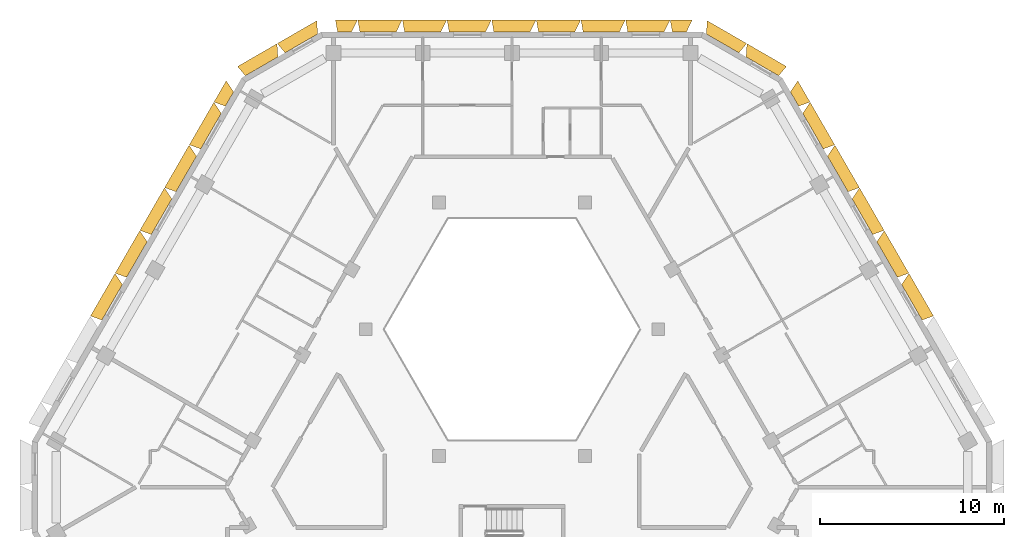
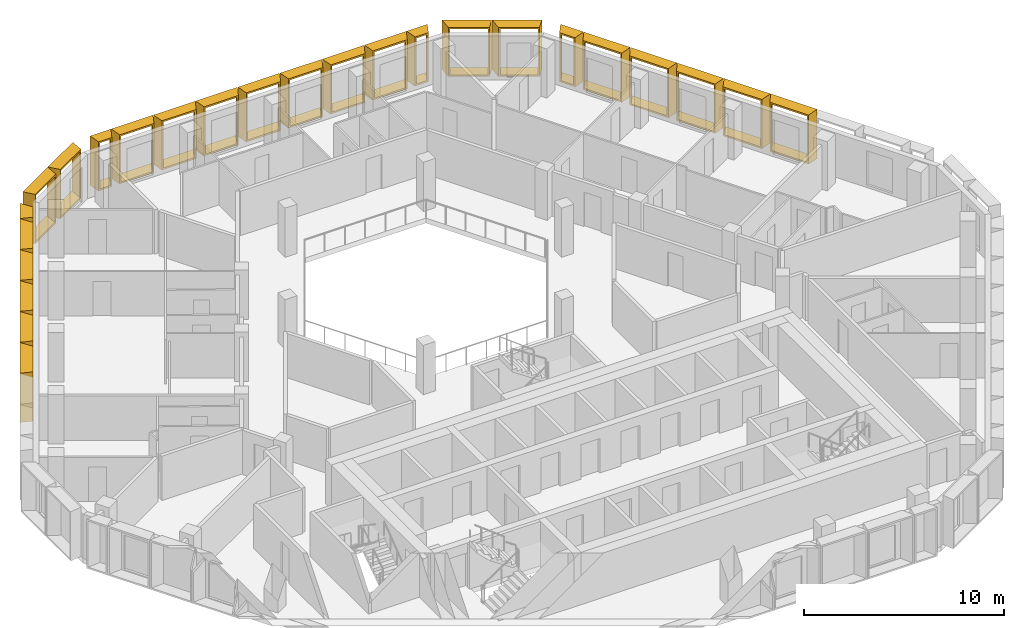
# One storey, part 15 of 15: 25 shading devices.
"""IFC4 building model written with IfcOpenShell, lengths in metres."""

from ifc_helpers import new_model, entity, si_unit, direction, frame, origin, place, context, subcontext, project, spatial, source, transform, mapped, material, type_object, type_shapes, element, save


model = new_model("IFC4")

# Units and contexts
model_context = context("Model", 3, precision=1e-05, world=origin(), true_north=direction((0.0, 1.0)))
body_context = subcontext(model_context, "Body", "Model", "MODEL_VIEW")
ifc_project = project(units=[si_unit("LENGTHUNIT", "METRE"), si_unit("AREAUNIT", "SQUARE_METRE"), si_unit("VOLUMEUNIT", "CUBIC_METRE"), si_unit("PLANEANGLEUNIT", "RADIAN"), si_unit("MASSUNIT", "GRAM", prefix="KILO")], contexts=[model_context])

# Site, building, storey
site_placement = place(None, origin())
site = spatial("IfcSite", under=ifc_project, at=site_placement, CompositionType="ELEMENT")
building_placement = place(site_placement, origin())
building = spatial("IfcBuilding", under=site, at=building_placement, Name="Beryl Residences", CompositionType="ELEMENT")
storey_placement = place(building_placement, frame((0.0, 0.0, 193.199951171875)))
storey = spatial("IfcBuildingStorey", under=building, at=storey_placement, Name="L59", CompositionType="ELEMENT", Elevation=193.199951171875)

# Shading devices
ifc_material_1 = material(Name="Aluminium pale anodised", Category="aluminium")
shading_device_type_1 = type_object("IfcShadingDeviceType", Name="FR122-65B OUTER SKIN frame 650 mm deep, splay 26/10 deg, 1220 x 3000 mm cell", PredefinedType="USERDEFINED", material=ifc_material_1)
cartesian_point_1 = entity("IfcCartesianPoint", [-0.384033203125, 0.0])
cartesian_point_2 = entity("IfcCartesianPoint", [-0.294921875, 0.10009765625])
cartesian_point_3 = entity("IfcCartesianPoint", [-0.700927734375, 0.0])
cartesian_point_4 = entity("IfcCartesianPoint", [-0.612060546875, 0.10009765625])
shared_shape_1 = source(origin(), body_context, "Body", "SweptSolid", [
    entity("IfcExtrudedAreaSolidTapered", entity("IfcArbitraryProfileDefWithVoids", "AREA", None, entity("IfcPolyline", [cartesian_point_1, entity("IfcCartesianPoint", [0.384033203125, 0.0]), entity("IfcCartesianPoint", [0.384033203125, 3.0]), entity("IfcCartesianPoint", [-0.384033203125, 3.0]), cartesian_point_1]), [entity("IfcPolyline", [cartesian_point_2, entity("IfcCartesianPoint", [0.302734375, 0.10009765625]), entity("IfcCartesianPoint", [0.302734375, 2.89990234375]), entity("IfcCartesianPoint", [-0.294921875, 2.89990234375]), cartesian_point_2])]), entity("IfcAxis2Placement3D", entity("IfcCartesianPoint", [0.0, 0.0, 0.0]), entity("IfcDirection", [0.0, 1.0, 0.0]), entity("IfcDirection", [-1.0, 0.0, 0.0])), entity("IfcDirection", [0.0, 0.0, 1.0]), 0.64990234375, entity("IfcArbitraryProfileDefWithVoids", "AREA", None, entity("IfcPolyline", [cartesian_point_3, entity("IfcCartesianPoint", [0.49853515625, 0.0]), entity("IfcCartesianPoint", [0.49853515625, 3.0]), entity("IfcCartesianPoint", [-0.700927734375, 3.0]), cartesian_point_3]), [entity("IfcPolyline", [cartesian_point_4, entity("IfcCartesianPoint", [0.41748046875, 0.10009765625]), entity("IfcCartesianPoint", [0.41748046875, 2.89990234375]), entity("IfcCartesianPoint", [-0.612060546875, 2.89990234375]), cartesian_point_4])])),
])
type_shapes(shading_device_type_1, [shared_shape_1])
for number, where, z_axis, x_axis, name in (
    (1, (9.1201171875, 24.199951171875, 0.0), (0.0, 0.0, 1.0), (1.0, 0.0, 0.0), "FR122-65B frame L59 N 1"),
    (2, (-9.1201171875, 24.199951171875, 0.0), (0.0, 0.0, 1.0), (1.0, 0.0, 0.0), "FR122-65B frame L59 N 9"),
):
    element("IfcShadingDevice", number, at=place(storey_placement, frame(where, z_axis=z_axis, x_axis=x_axis)), inside=storey, type_object=shading_device_type_1, Name=name, ObjectType="OUTER SKIN", PredefinedType="USERDEFINED", context=body_context, shape_type="MappedRepresentation", body=[
        mapped(shared_shape_1, transform((0.0, 0.0, 0.0))),
    ])
ifc_material_2 = material(Name="Aluminium pale anodised", Category="aluminium")
shading_device_type_2 = type_object("IfcShadingDeviceType", Name="FR135-65B OUTER SKIN frame 650 mm deep, splay 26/10 deg, 1350 x 3000 mm cell", PredefinedType="USERDEFINED", material=ifc_material_2)
cartesian_point_5 = entity("IfcCartesianPoint", [-0.448974609375, 0.0])
cartesian_point_6 = entity("IfcCartesianPoint", [-0.360107421875, 0.10009765625])
cartesian_point_7 = entity("IfcCartesianPoint", [-0.76611328125, 0.0])
cartesian_point_8 = entity("IfcCartesianPoint", [-0.677001953125, 0.10009765625])
shared_shape_2 = source(origin(), body_context, "Body", "SweptSolid", [
    entity("IfcExtrudedAreaSolidTapered", entity("IfcArbitraryProfileDefWithVoids", "AREA", None, entity("IfcPolyline", [cartesian_point_5, entity("IfcCartesianPoint", [0.448974609375, 0.0]), entity("IfcCartesianPoint", [0.448974609375, 3.0]), entity("IfcCartesianPoint", [-0.448974609375, 3.0]), cartesian_point_5]), [entity("IfcPolyline", [cartesian_point_6, entity("IfcCartesianPoint", [0.36767578125, 0.10009765625]), entity("IfcCartesianPoint", [0.36767578125, 2.89990234375]), entity("IfcCartesianPoint", [-0.360107421875, 2.89990234375]), cartesian_point_6])]), entity("IfcAxis2Placement3D", entity("IfcCartesianPoint", [0.0, 0.0, 0.0]), entity("IfcDirection", [0.0, 1.0, 0.0]), entity("IfcDirection", [-1.0, 0.0, 0.0])), entity("IfcDirection", [0.0, 0.0, 1.0]), 0.64990234375, entity("IfcArbitraryProfileDefWithVoids", "AREA", None, entity("IfcPolyline", [cartesian_point_7, entity("IfcCartesianPoint", [0.563720703125, 0.0]), entity("IfcCartesianPoint", [0.563720703125, 3.0]), entity("IfcCartesianPoint", [-0.76611328125, 3.0]), cartesian_point_7]), [entity("IfcPolyline", [cartesian_point_8, entity("IfcCartesianPoint", [0.482421875, 0.10009765625]), entity("IfcCartesianPoint", [0.482421875, 2.89990234375]), entity("IfcCartesianPoint", [-0.677001953125, 2.89990234375]), cartesian_point_8])])),
])
type_shapes(shading_device_type_2, [shared_shape_2])
shading_device_1_placement = place(storey_placement, frame((-15.39111328125, 20.54296875, 0.0), z_axis=(0.0, 0.0, 1.0), x_axis=(0.5, 0.866025403784, 0.0)))
element("IfcShadingDevice", 3, at=shading_device_1_placement, inside=storey, type_object=shading_device_type_2, Name="FR135-65B frame L59 NW 1", ObjectType="OUTER SKIN", PredefinedType="USERDEFINED", context=body_context, shape_type="MappedRepresentation", body=[
    mapped(shared_shape_2, transform((0.0, 0.0, 0.0))),
])
ifc_material_3 = material(Name="Aluminium pale anodised", Category="aluminium")
shading_device_type_3 = type_object("IfcShadingDeviceType", Name="FR135-65C OUTER SKIN frame 650 mm deep, splay 10/26 deg, 1350 x 3000 mm cell", PredefinedType="USERDEFINED", material=ifc_material_3)
cartesian_point_9 = entity("IfcCartesianPoint", [-0.448974609375, 0.0])
cartesian_point_10 = entity("IfcCartesianPoint", [-0.36767578125, 0.10009765625])
cartesian_point_11 = entity("IfcCartesianPoint", [-0.563720703125, 0.0])
cartesian_point_12 = entity("IfcCartesianPoint", [-0.482421875, 0.10009765625])
shared_shape_3 = source(origin(), body_context, "Body", "SweptSolid", [
    entity("IfcExtrudedAreaSolidTapered", entity("IfcArbitraryProfileDefWithVoids", "AREA", None, entity("IfcPolyline", [cartesian_point_9, entity("IfcCartesianPoint", [0.448974609375, 0.0]), entity("IfcCartesianPoint", [0.448974609375, 3.0]), entity("IfcCartesianPoint", [-0.448974609375, 3.0]), cartesian_point_9]), [entity("IfcPolyline", [cartesian_point_10, entity("IfcCartesianPoint", [0.360107421875, 0.10009765625]), entity("IfcCartesianPoint", [0.360107421875, 2.89990234375]), entity("IfcCartesianPoint", [-0.36767578125, 2.89990234375]), cartesian_point_10])]), entity("IfcAxis2Placement3D", entity("IfcCartesianPoint", [0.0, 0.0, 0.0]), entity("IfcDirection", [0.0, 1.0, 0.0]), entity("IfcDirection", [-1.0, 0.0, 0.0])), entity("IfcDirection", [0.0, 0.0, 1.0]), 0.64990234375, entity("IfcArbitraryProfileDefWithVoids", "AREA", None, entity("IfcPolyline", [cartesian_point_11, entity("IfcCartesianPoint", [0.76611328125, 0.0]), entity("IfcCartesianPoint", [0.76611328125, 3.0]), entity("IfcCartesianPoint", [-0.563720703125, 3.0]), cartesian_point_11]), [entity("IfcPolyline", [cartesian_point_12, entity("IfcCartesianPoint", [0.677001953125, 0.10009765625]), entity("IfcCartesianPoint", [0.677001953125, 2.89990234375]), entity("IfcCartesianPoint", [-0.482421875, 2.89990234375]), cartesian_point_12])])),
])
type_shapes(shading_device_type_3, [shared_shape_3])
shading_device_2_placement = place(storey_placement, frame((15.39111328125, 20.54296875, 0.0), z_axis=(0.0, 0.0, 1.0), x_axis=(0.5, -0.866025403784, 0.0)))
element("IfcShadingDevice", 4, at=shading_device_2_placement, inside=storey, type_object=shading_device_type_3, Name="FR135-65C frame L59 NE 9", ObjectType="OUTER SKIN", PredefinedType="USERDEFINED", context=body_context, shape_type="MappedRepresentation", body=[
    mapped(shared_shape_3, transform((0.0, 0.0, 0.0))),
])
ifc_material_4 = material(Name="Aluminium pale anodised", Category="aluminium")
shading_device_type_4 = type_object("IfcShadingDeviceType", Name="FR243-65B OUTER SKIN frame 650 mm deep, splay 26/10 deg, 2430 x 3000 mm cell", PredefinedType="USERDEFINED", material=ifc_material_4)
cartesian_point_13 = entity("IfcCartesianPoint", [-0.989013671875, 0.0])
cartesian_point_14 = entity("IfcCartesianPoint", [-0.89990234375, 0.10009765625])
cartesian_point_15 = entity("IfcCartesianPoint", [-1.305908203125, 0.0])
cartesian_point_16 = entity("IfcCartesianPoint", [-1.217041015625, 0.10009765625])
shared_shape_4 = source(origin(), body_context, "Body", "SweptSolid", [
    entity("IfcExtrudedAreaSolidTapered", entity("IfcArbitraryProfileDefWithVoids", "AREA", None, entity("IfcPolyline", [cartesian_point_13, entity("IfcCartesianPoint", [0.989013671875, 0.0]), entity("IfcCartesianPoint", [0.989013671875, 3.0]), entity("IfcCartesianPoint", [-0.989013671875, 3.0]), cartesian_point_13]), [entity("IfcPolyline", [cartesian_point_14, entity("IfcCartesianPoint", [0.90771484375, 0.10009765625]), entity("IfcCartesianPoint", [0.90771484375, 2.89990234375]), entity("IfcCartesianPoint", [-0.89990234375, 2.89990234375]), cartesian_point_14])]), entity("IfcAxis2Placement3D", entity("IfcCartesianPoint", [0.0, 0.0, 0.0]), entity("IfcDirection", [0.0, 1.0, 0.0]), entity("IfcDirection", [-1.0, 0.0, 0.0])), entity("IfcDirection", [0.0, 0.0, 1.0]), 0.64990234375, entity("IfcArbitraryProfileDefWithVoids", "AREA", None, entity("IfcPolyline", [cartesian_point_15, entity("IfcCartesianPoint", [1.103515625, 0.0]), entity("IfcCartesianPoint", [1.103515625, 3.0]), entity("IfcCartesianPoint", [-1.305908203125, 3.0]), cartesian_point_15]), [entity("IfcPolyline", [cartesian_point_16, entity("IfcCartesianPoint", [1.0224609375, 0.10009765625]), entity("IfcCartesianPoint", [1.0224609375, 2.89990234375]), entity("IfcCartesianPoint", [-1.217041015625, 2.89990234375]), cartesian_point_16])])),
])
type_shapes(shading_device_type_4, [shared_shape_4])
for number, where, z_axis, x_axis, name in (
    (5, (7.2958984375, 24.199951171875, 0.0), (0.0, 0.0, 1.0), (1.0, 0.0, 0.0), "FR243-65B frame L59 N 2"),
    (6, (4.864013671875, 24.199951171875, 0.0), (0.0, 0.0, 1.0), (1.0, 0.0, 0.0), "FR243-65B frame L59 N 3"),
    (7, (2.431884765625, 24.199951171875, 0.0), (0.0, 0.0, 1.0), (1.0, 0.0, 0.0), "FR243-65B frame L59 N 4"),
    (8, (0.0, 24.199951171875, 0.0), (0.0, 0.0, 1.0), (1.0, 0.0, 0.0), "FR243-65B frame L59 N 5"),
    (9, (-2.431884765625, 24.199951171875, 0.0), (0.0, 0.0, 1.0), (1.0, 0.0, 0.0), "FR243-65B frame L59 N 6"),
    (10, (-4.864013671875, 24.199951171875, 0.0), (0.0, 0.0, 1.0), (1.0, 0.0, 0.0), "FR243-65B frame L59 N 7"),
    (11, (-7.2958984375, 24.199951171875, 0.0), (0.0, 0.0, 1.0), (1.0, 0.0, 0.0), "FR243-65B frame L59 N 8"),
):
    element("IfcShadingDevice", number, at=place(storey_placement, frame(where, z_axis=z_axis, x_axis=x_axis)), inside=storey, type_object=shading_device_type_4, Name=name, ObjectType="OUTER SKIN", PredefinedType="USERDEFINED", context=body_context, shape_type="MappedRepresentation", body=[
        mapped(shared_shape_4, transform((0.0, 0.0, 0.0))),
    ])
ifc_material_5 = material(Name="Aluminium pale anodised", Category="aluminium")
shading_device_type_5 = type_object("IfcShadingDeviceType", Name="FR250-65B OUTER SKIN frame 650 mm deep, splay 26/10 deg, 2500 x 3000 mm cell", PredefinedType="USERDEFINED", material=ifc_material_5)
cartesian_point_17 = entity("IfcCartesianPoint", [-1.02392578125, 0.0])
cartesian_point_18 = entity("IfcCartesianPoint", [-0.93505859375, 0.10009765625])
cartesian_point_19 = entity("IfcCartesianPoint", [-1.341064453125, 0.0])
cartesian_point_20 = entity("IfcCartesianPoint", [-1.251953125, 0.10009765625])
shared_shape_5 = source(origin(), body_context, "Body", "SweptSolid", [
    entity("IfcExtrudedAreaSolidTapered", entity("IfcArbitraryProfileDefWithVoids", "AREA", None, entity("IfcPolyline", [cartesian_point_17, entity("IfcCartesianPoint", [1.02392578125, 0.0]), entity("IfcCartesianPoint", [1.02392578125, 3.0]), entity("IfcCartesianPoint", [-1.02392578125, 3.0]), cartesian_point_17]), [entity("IfcPolyline", [cartesian_point_18, entity("IfcCartesianPoint", [0.94287109375, 0.10009765625]), entity("IfcCartesianPoint", [0.94287109375, 2.89990234375]), entity("IfcCartesianPoint", [-0.93505859375, 2.89990234375]), cartesian_point_18])]), entity("IfcAxis2Placement3D", entity("IfcCartesianPoint", [0.0, 0.0, 0.0]), entity("IfcDirection", [0.0, 1.0, 0.0]), entity("IfcDirection", [-1.0, 0.0, 0.0])), entity("IfcDirection", [0.0, 0.0, 1.0]), 0.64990234375, entity("IfcArbitraryProfileDefWithVoids", "AREA", None, entity("IfcPolyline", [cartesian_point_19, entity("IfcCartesianPoint", [1.138671875, 0.0]), entity("IfcCartesianPoint", [1.138671875, 3.0]), entity("IfcCartesianPoint", [-1.341064453125, 3.0]), cartesian_point_19]), [entity("IfcPolyline", [cartesian_point_20, entity("IfcCartesianPoint", [1.057373046875, 0.10009765625]), entity("IfcCartesianPoint", [1.057373046875, 2.89990234375]), entity("IfcCartesianPoint", [-1.251953125, 2.89990234375]), cartesian_point_20])])),
])
type_shapes(shading_device_type_5, [shared_shape_5])
for number, where, z_axis, x_axis, name in (
    (12, (-11.47412109375, 23.574951171875, 0.0), (0.0, 0.0, 1.0), (0.866025403784, 0.5, 0.0), "FR250-65B frame L59 N-NW 1"),
    (13, (-13.638916015625, 22.324951171875, 0.0), (0.0, 0.0, 1.0), (0.866025403784, 0.5, 0.0), "FR250-65B frame L59 N-NW 2"),
):
    element("IfcShadingDevice", number, at=place(storey_placement, frame(where, z_axis=z_axis, x_axis=x_axis)), inside=storey, type_object=shading_device_type_5, Name=name, ObjectType="OUTER SKIN", PredefinedType="USERDEFINED", context=body_context, shape_type="MappedRepresentation", body=[
        mapped(shared_shape_5, transform((0.0, 0.0, 0.0))),
    ])
ifc_material_6 = material(Name="Aluminium pale anodised", Category="aluminium")
shading_device_type_6 = type_object("IfcShadingDeviceType", Name="FR250-65C OUTER SKIN frame 650 mm deep, splay 10/26 deg, 2500 x 3000 mm cell", PredefinedType="USERDEFINED", material=ifc_material_6)
cartesian_point_21 = entity("IfcCartesianPoint", [-1.02392578125, 0.0])
cartesian_point_22 = entity("IfcCartesianPoint", [-0.94287109375, 0.10009765625])
cartesian_point_23 = entity("IfcCartesianPoint", [-1.138671875, 0.0])
cartesian_point_24 = entity("IfcCartesianPoint", [-1.057373046875, 0.10009765625])
shared_shape_6 = source(origin(), body_context, "Body", "SweptSolid", [
    entity("IfcExtrudedAreaSolidTapered", entity("IfcArbitraryProfileDefWithVoids", "AREA", None, entity("IfcPolyline", [cartesian_point_21, entity("IfcCartesianPoint", [1.02392578125, 0.0]), entity("IfcCartesianPoint", [1.02392578125, 3.0]), entity("IfcCartesianPoint", [-1.02392578125, 3.0]), cartesian_point_21]), [entity("IfcPolyline", [cartesian_point_22, entity("IfcCartesianPoint", [0.93505859375, 0.10009765625]), entity("IfcCartesianPoint", [0.93505859375, 2.89990234375]), entity("IfcCartesianPoint", [-0.94287109375, 2.89990234375]), cartesian_point_22])]), entity("IfcAxis2Placement3D", entity("IfcCartesianPoint", [0.0, 0.0, 0.0]), entity("IfcDirection", [0.0, 1.0, 0.0]), entity("IfcDirection", [-1.0, 0.0, 0.0])), entity("IfcDirection", [0.0, 0.0, 1.0]), 0.64990234375, entity("IfcArbitraryProfileDefWithVoids", "AREA", None, entity("IfcPolyline", [cartesian_point_23, entity("IfcCartesianPoint", [1.341064453125, 0.0]), entity("IfcCartesianPoint", [1.341064453125, 3.0]), entity("IfcCartesianPoint", [-1.138671875, 3.0]), cartesian_point_23]), [entity("IfcPolyline", [cartesian_point_24, entity("IfcCartesianPoint", [1.251953125, 0.10009765625]), entity("IfcCartesianPoint", [1.251953125, 2.89990234375]), entity("IfcCartesianPoint", [-1.057373046875, 2.89990234375]), cartesian_point_24])])),
])
type_shapes(shading_device_type_6, [shared_shape_6])
for number, where, z_axis, x_axis, name in (
    (14, (13.638916015625, 22.324951171875, 0.0), (0.0, 0.0, 1.0), (0.866025403784, -0.5, 0.0), "FR250-65C frame L59 NE-N 1"),
    (15, (11.47412109375, 23.574951171875, 0.0), (0.0, 0.0, 1.0), (0.866025403784, -0.5, 0.0), "FR250-65C frame L59 NE-N 2"),
):
    element("IfcShadingDevice", number, at=place(storey_placement, frame(where, z_axis=z_axis, x_axis=x_axis)), inside=storey, type_object=shading_device_type_6, Name=name, ObjectType="OUTER SKIN", PredefinedType="USERDEFINED", context=body_context, shape_type="MappedRepresentation", body=[
        mapped(shared_shape_6, transform((0.0, 0.0, 0.0))),
    ])
ifc_material_7 = material(Name="Aluminium pale anodised", Category="aluminium")
shading_device_type_7 = type_object("IfcShadingDeviceType", Name="FR269-65B OUTER SKIN frame 650 mm deep, splay 26/10 deg, 2690 x 3000 mm cell", PredefinedType="USERDEFINED", material=ifc_material_7)
cartesian_point_25 = entity("IfcCartesianPoint", [-1.118896484375, 0.0])
cartesian_point_26 = entity("IfcCartesianPoint", [-1.030029296875, 0.10009765625])
cartesian_point_27 = entity("IfcCartesianPoint", [-1.43603515625, 0.0])
cartesian_point_28 = entity("IfcCartesianPoint", [-1.346923828125, 0.10009765625])
shared_shape_7 = source(origin(), body_context, "Body", "SweptSolid", [
    entity("IfcExtrudedAreaSolidTapered", entity("IfcArbitraryProfileDefWithVoids", "AREA", None, entity("IfcPolyline", [cartesian_point_25, entity("IfcCartesianPoint", [1.118896484375, 0.0]), entity("IfcCartesianPoint", [1.118896484375, 3.0]), entity("IfcCartesianPoint", [-1.118896484375, 3.0]), cartesian_point_25]), [entity("IfcPolyline", [cartesian_point_26, entity("IfcCartesianPoint", [1.037841796875, 0.10009765625]), entity("IfcCartesianPoint", [1.037841796875, 2.89990234375]), entity("IfcCartesianPoint", [-1.030029296875, 2.89990234375]), cartesian_point_26])]), entity("IfcAxis2Placement3D", entity("IfcCartesianPoint", [0.0, 0.0, 0.0]), entity("IfcDirection", [0.0, 1.0, 0.0]), entity("IfcDirection", [-1.0, 0.0, 0.0])), entity("IfcDirection", [0.0, 0.0, 1.0]), 0.64990234375, entity("IfcArbitraryProfileDefWithVoids", "AREA", None, entity("IfcPolyline", [cartesian_point_27, entity("IfcCartesianPoint", [1.233642578125, 0.0]), entity("IfcCartesianPoint", [1.233642578125, 3.0]), entity("IfcCartesianPoint", [-1.43603515625, 3.0]), cartesian_point_27]), [entity("IfcPolyline", [cartesian_point_28, entity("IfcCartesianPoint", [1.15234375, 0.10009765625]), entity("IfcCartesianPoint", [1.15234375, 2.89990234375]), entity("IfcCartesianPoint", [-1.346923828125, 2.89990234375]), cartesian_point_28])])),
])
type_shapes(shading_device_type_7, [shared_shape_7])
for number, where, z_axis, x_axis, name in (
    (16, (-16.39990234375, 18.7939453125, 0.0), (0.0, 0.0, 1.0), (0.5, 0.866025403784, 0.0), "FR269-65B frame L59 NW 2"),
    (17, (-17.74609375, 16.462890625, 0.0), (0.0, 0.0, 1.0), (0.5, 0.866025403784, 0.0), "FR269-65B frame L59 NW 3"),
    (18, (-19.092041015625, 14.131103515625, 0.0), (0.0, 0.0, 1.0), (0.5, 0.866025403784, 0.0), "FR269-65B frame L59 NW 4"),
    (19, (-20.43798828125, 11.800048828125, 0.0), (0.0, 0.0, 1.0), (0.5, 0.866025403784, 0.0), "FR269-65B frame L59 NW 5"),
    (20, (-21.783935546875, 9.468994140625, 0.0), (0.0, 0.0, 1.0), (0.5, 0.866025403784, 0.0), "FR269-65B frame L59 NW 6"),
):
    element("IfcShadingDevice", number, at=place(storey_placement, frame(where, z_axis=z_axis, x_axis=x_axis)), inside=storey, type_object=shading_device_type_7, Name=name, ObjectType="OUTER SKIN", PredefinedType="USERDEFINED", context=body_context, shape_type="MappedRepresentation", body=[
        mapped(shared_shape_7, transform((0.0, 0.0, 0.0))),
    ])
ifc_material_8 = material(Name="Aluminium pale anodised", Category="aluminium")
shading_device_type_8 = type_object("IfcShadingDeviceType", Name="FR269-65C OUTER SKIN frame 650 mm deep, splay 10/26 deg, 2690 x 3000 mm cell", PredefinedType="USERDEFINED", material=ifc_material_8)
cartesian_point_29 = entity("IfcCartesianPoint", [-1.118896484375, 0.0])
cartesian_point_30 = entity("IfcCartesianPoint", [-1.037841796875, 0.10009765625])
cartesian_point_31 = entity("IfcCartesianPoint", [-1.233642578125, 0.0])
cartesian_point_32 = entity("IfcCartesianPoint", [-1.15234375, 0.10009765625])
shared_shape_8 = source(origin(), body_context, "Body", "SweptSolid", [
    entity("IfcExtrudedAreaSolidTapered", entity("IfcArbitraryProfileDefWithVoids", "AREA", None, entity("IfcPolyline", [cartesian_point_29, entity("IfcCartesianPoint", [1.118896484375, 0.0]), entity("IfcCartesianPoint", [1.118896484375, 3.0]), entity("IfcCartesianPoint", [-1.118896484375, 3.0]), cartesian_point_29]), [entity("IfcPolyline", [cartesian_point_30, entity("IfcCartesianPoint", [1.030029296875, 0.10009765625]), entity("IfcCartesianPoint", [1.030029296875, 2.89990234375]), entity("IfcCartesianPoint", [-1.037841796875, 2.89990234375]), cartesian_point_30])]), entity("IfcAxis2Placement3D", entity("IfcCartesianPoint", [0.0, 0.0, 0.0]), entity("IfcDirection", [0.0, 1.0, 0.0]), entity("IfcDirection", [-1.0, 0.0, 0.0])), entity("IfcDirection", [0.0, 0.0, 1.0]), 0.64990234375, entity("IfcArbitraryProfileDefWithVoids", "AREA", None, entity("IfcPolyline", [cartesian_point_31, entity("IfcCartesianPoint", [1.43603515625, 0.0]), entity("IfcCartesianPoint", [1.43603515625, 3.0]), entity("IfcCartesianPoint", [-1.233642578125, 3.0]), cartesian_point_31]), [entity("IfcPolyline", [cartesian_point_32, entity("IfcCartesianPoint", [1.346923828125, 0.10009765625]), entity("IfcCartesianPoint", [1.346923828125, 2.89990234375]), entity("IfcCartesianPoint", [-1.15234375, 2.89990234375]), cartesian_point_32])])),
])
type_shapes(shading_device_type_8, [shared_shape_8])
for number, where, z_axis, x_axis, name in (
    (21, (21.783935546875, 9.468994140625, 0.0), (0.0, 0.0, 1.0), (0.5, -0.866025403784, 0.0), "FR269-65C frame L59 NE 4"),
    (22, (20.43798828125, 11.800048828125, 0.0), (0.0, 0.0, 1.0), (0.5, -0.866025403784, 0.0), "FR269-65C frame L59 NE 5"),
    (23, (19.092041015625, 14.131103515625, 0.0), (0.0, 0.0, 1.0), (0.5, -0.866025403784, 0.0), "FR269-65C frame L59 NE 6"),
    (24, (17.74609375, 16.462890625, 0.0), (0.0, 0.0, 1.0), (0.5, -0.866025403784, 0.0), "FR269-65C frame L59 NE 7"),
    (25, (16.39990234375, 18.7939453125, 0.0), (0.0, 0.0, 1.0), (0.5, -0.866025403784, 0.0), "FR269-65C frame L59 NE 8"),
):
    element("IfcShadingDevice", number, at=place(storey_placement, frame(where, z_axis=z_axis, x_axis=x_axis)), inside=storey, type_object=shading_device_type_8, Name=name, ObjectType="OUTER SKIN", PredefinedType="USERDEFINED", context=body_context, shape_type="MappedRepresentation", body=[
        mapped(shared_shape_8, transform((0.0, 0.0, 0.0))),
    ])

save(model, "model.ifc")
